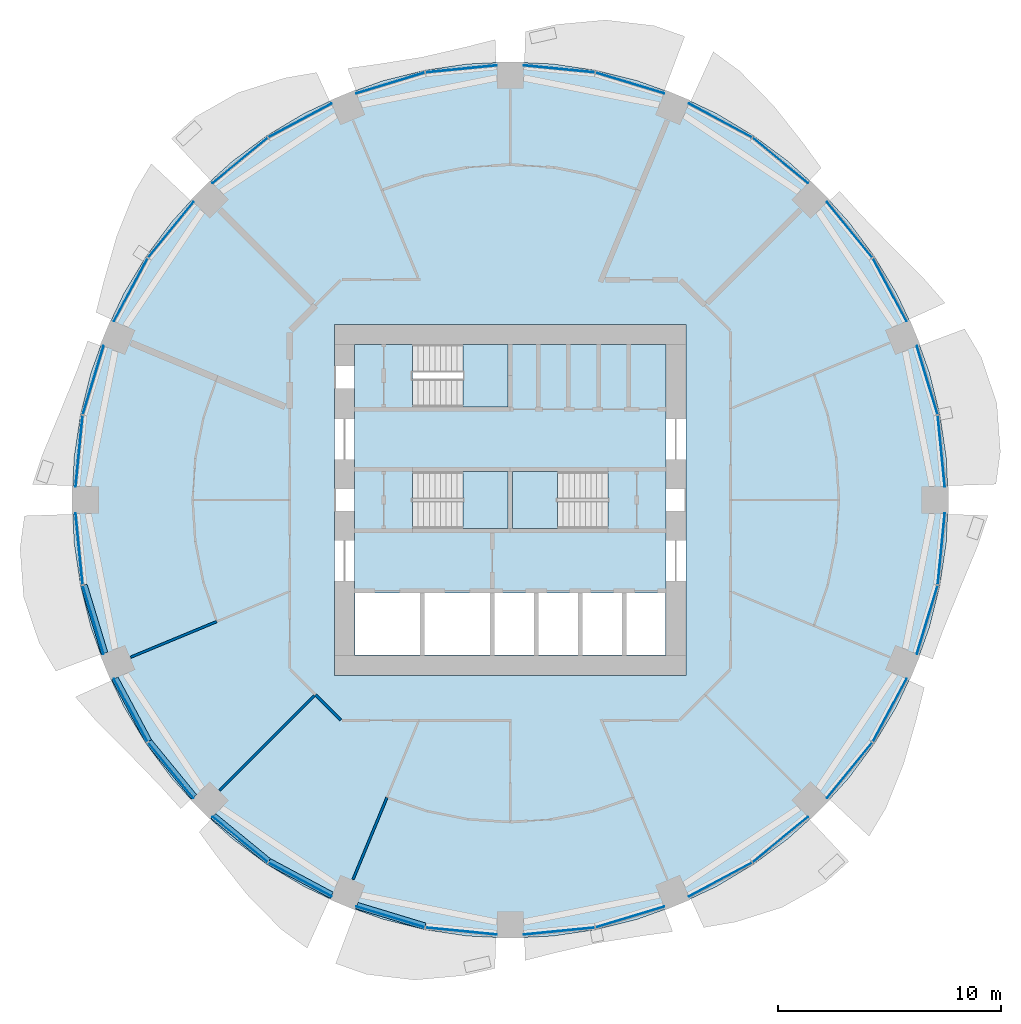
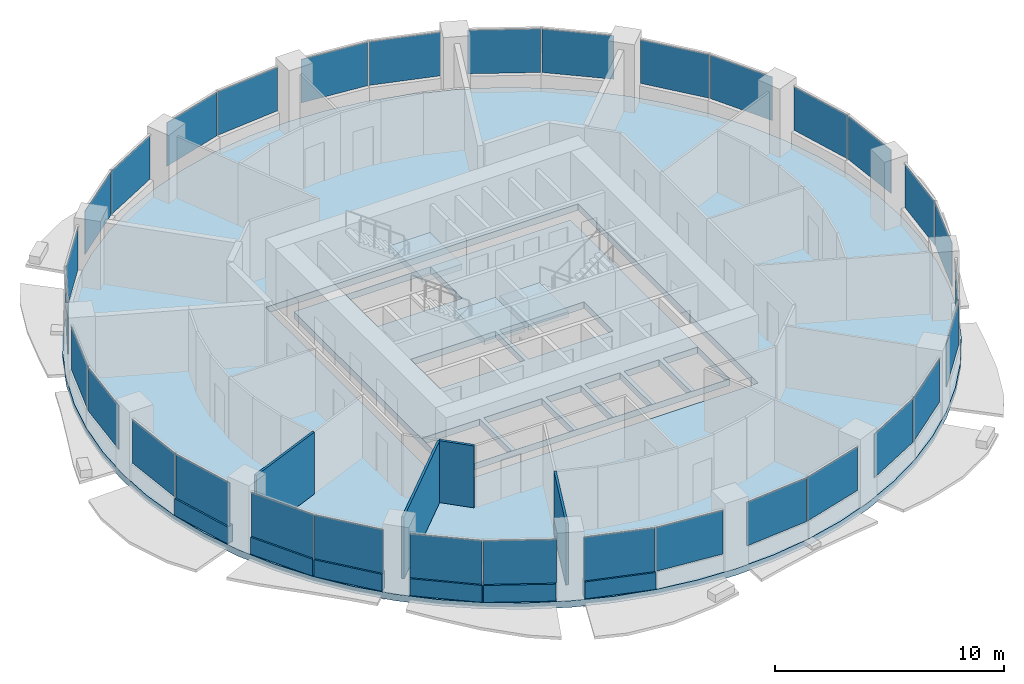
# One storey, part 7 of 15: 32 plates, 10 walls, 5 slabs, 19 elements without a shape of their own.
"""IFC4 building model written with IfcOpenShell, lengths in metres."""

from ifc_helpers import new_model, si_unit, direction, frame, frame_2d, origin, origin_2d, place, context, subcontext, project, spatial, polyline, rectangle, outline, extrude, material, layer, layer_set, type_object, element, aggregate, save


model = new_model("IFC4")

# Units and contexts
model_context = context("Model", 3, precision=1e-05, world=origin(), true_north=direction((0.0, 1.0)))
body_context = subcontext(model_context, "Body", "Model", "MODEL_VIEW")
ifc_project = project(units=[si_unit("LENGTHUNIT", "METRE"), si_unit("AREAUNIT", "SQUARE_METRE"), si_unit("VOLUMEUNIT", "CUBIC_METRE"), si_unit("PLANEANGLEUNIT", "RADIAN"), si_unit("MASSUNIT", "GRAM", prefix="KILO")], contexts=[model_context])

# Site, building, storey
site_placement = place(None, origin())
site = spatial("IfcSite", under=ifc_project, at=site_placement, CompositionType="ELEMENT")
building_placement = place(site_placement, origin())
building = spatial("IfcBuilding", under=site, at=building_placement, Name="Polderwave Tower", CompositionType="ELEMENT")
storey_placement = place(building_placement, frame((0.0, 0.0, 51.75)))
storey = spatial("IfcBuildingStorey", under=building, at=storey_placement, Name="L13", CompositionType="ELEMENT", Elevation=51.75)

# Slab
ifc_material_1 = material(Name="Concrete C40/50", Category="concrete")
ifc_layer_1 = layer(ifc_material_1, 0.35009765625)
ifc_layer_set_1 = layer_set([ifc_layer_1], Name="Core floor slab 350")
slab_type_1 = type_object("IfcSlabType", Name="Core floor slab 350", PredefinedType="FLOOR", material=ifc_layer_set_1)
slab_1_placement = place(storey_placement, frame((0.0, 0.0, -0.35009765625)))
element("IfcSlab", 1, at=slab_1_placement, inside=storey, type_object=slab_type_1, Name="L13 core floor", PredefinedType="FLOOR", context=body_context, shape_type="SweptSolid", body=[
    extrude(outline(polyline([(-6.97412109375, -6.97412109375), (6.97412109375, -6.97412109375), (6.97412109375, 6.97412109375), (-6.97412109375, 6.97412109375), (-6.97412109375, -6.97412109375)]), holes=[polyline([(-6.9541015625, -6.9541015625), (-4.037109375, -6.9541015625), (-4.037109375, -4.174072265625), (-6.9541015625, -4.174072265625), (-6.9541015625, -6.9541015625)]), polyline([(-3.8369140625, -6.9541015625), (-0.89990234375, -6.9541015625), (-0.89990234375, -4.174072265625), (-3.8369140625, -4.174072265625), (-3.8369140625, -6.9541015625)]), polyline([(-0.699951171875, -6.9541015625), (1.068603515625, -6.9541015625), (1.068603515625, -4.174072265625), (-0.699951171875, -4.174072265625), (-0.699951171875, -6.9541015625)]), polyline([(1.2685546875, -6.9541015625), (3.037109375, -6.9541015625), (3.037109375, -4.174072265625), (1.2685546875, -4.174072265625), (1.2685546875, -6.9541015625)]), polyline([(3.237060546875, -6.9541015625), (5.005615234375, -6.9541015625), (5.005615234375, -4.174072265625), (3.237060546875, -4.174072265625), (3.237060546875, -6.9541015625)]), polyline([(5.20556640625, -6.9541015625), (6.9541015625, -6.9541015625), (6.9541015625, -4.174072265625), (5.20556640625, -4.174072265625), (5.20556640625, -6.9541015625)]), polyline([(-4.37353515625, -1.2744140625), (-0.1005859375, -1.2744140625), (-0.1005859375, 1.2744140625), (-4.37353515625, 1.2744140625), (-4.37353515625, -1.2744140625)]), polyline([(0.1005859375, -1.2744140625), (4.37353515625, -1.2744140625), (4.37353515625, 1.2744140625), (0.1005859375, 1.2744140625), (0.1005859375, -1.2744140625)]), polyline([(-4.37353515625, 4.174560546875), (-0.1005859375, 4.174560546875), (-0.1005859375, 6.9541015625), (-4.37353515625, 6.9541015625), (-4.37353515625, 4.174560546875)])]), origin(), (0.0, 0.0, 1.0), 0.35009765625),
])

# Curtain wall, plates
ifc_material_2 = material(Name="Aluminium 6063-T6 and glass", Category="aluminium")
curtain_wall_type = type_object("IfcCurtainWallType", Name="Growing floor ribbon glazing wall", PredefinedType="NOTDEFINED", material=ifc_material_2)
curtain_wall_1_placement = place(storey_placement, origin())
curtain_wall_1 = element("IfcCurtainWall", 2, at=curtain_wall_1_placement, inside=storey, type_object=curtain_wall_type, Name="CW2 L13 00", PredefinedType="NOTDEFINED")
ifc_material_3 = material(Name="Glass, low-e laminated double glazing", Category="glass")
ifc_layer_2 = layer(ifc_material_3, 0.028076171875)
ifc_layer_set_2 = layer_set([ifc_layer_2], Name="Growing floor ribbon glazing glass panel 28 mm")
plate_type = type_object("IfcPlateType", Name="Growing floor ribbon glazing glass panel 28 mm", PredefinedType="CURTAIN_PANEL", material=ifc_layer_set_2)
plate_1_placement = place(storey_placement, frame((19.314453125, 2.190185546875, 0.89990234375), z_axis=(0.0, 0.0, 1.0), x_axis=(-0.097968506312, 0.995189515505, 0.0)))
plate_1 = element("IfcPlate", 3, at=plate_1_placement, type_object=plate_type, Name="CW2 panel 1", PredefinedType="CURTAIN_PANEL", context=body_context, shape_type="SweptSolid", body=[
    extrude(rectangle(XDim=3.195556640625, YDim=0.028076171875, at=origin_2d()), origin(), (0.0, 0.0, 1.0), 2.320068359375),
])
plate_2_placement = place(storey_placement, frame((18.68212890625, 5.367919921875, 0.89990234375), z_axis=(0.0, 0.0, 1.0), x_axis=(-0.290446680162, 0.956891177712, 0.0)))
plate_2 = element("IfcPlate", 4, at=plate_2_placement, type_object=plate_type, Name="CW2 panel 2", PredefinedType="CURTAIN_PANEL", context=body_context, shape_type="SweptSolid", body=[
    extrude(rectangle(XDim=3.196044921875, YDim=0.028076171875, at=origin_2d()), origin(), (0.0, 0.0, 1.0), 2.320068359375),
])
aggregate(curtain_wall_1, [plate_1, plate_2])

curtain_wall_2_placement = place(storey_placement, origin())
curtain_wall_2 = element("IfcCurtainWall", 5, at=curtain_wall_2_placement, inside=storey, type_object=curtain_wall_type, Name="CW2 L13 01", PredefinedType="NOTDEFINED")
plate_3_placement = place(storey_placement, frame((17.006103515625, 9.414794921875, 0.89990234375), z_axis=(0.0, 0.0, 1.0), x_axis=(-0.471361333858, 0.881940186716, 0.0)))
plate_3 = element("IfcPlate", 6, at=plate_3_placement, type_object=plate_type, Name="CW2 panel 1", PredefinedType="CURTAIN_PANEL", context=body_context, shape_type="SweptSolid", body=[
    extrude(rectangle(XDim=3.194580078125, YDim=0.028076171875, at=origin_2d()), origin(), (0.0, 0.0, 1.0), 2.320068359375),
])
plate_4_placement = place(storey_placement, frame((15.2060546875, 12.108642578125, 0.89990234375), z_axis=(0.0, 0.0, 1.0), x_axis=(-0.634435107126, 0.772976128251, 0.0)))
plate_4 = element("IfcPlate", 7, at=plate_4_placement, type_object=plate_type, Name="CW2 panel 2", PredefinedType="CURTAIN_PANEL", context=body_context, shape_type="SweptSolid", body=[
    extrude(rectangle(XDim=3.196533203125, YDim=0.028076171875, at=origin_2d()), origin(), (0.0, 0.0, 1.0), 2.320068359375),
])
aggregate(curtain_wall_2, [plate_3, plate_4])

curtain_wall_3_placement = place(storey_placement, origin())
curtain_wall_3 = element("IfcCurtainWall", 8, at=curtain_wall_3_placement, inside=storey, type_object=curtain_wall_type, Name="CW2 L13 02", PredefinedType="NOTDEFINED")
plate_5_placement = place(storey_placement, frame((12.108642578125, 15.2060546875, 0.89990234375), z_axis=(0.0, 0.0, 1.0), x_axis=(-0.772976128251, 0.634435107126, 0.0)))
plate_5 = element("IfcPlate", 9, at=plate_5_placement, type_object=plate_type, Name="CW2 panel 1", PredefinedType="CURTAIN_PANEL", context=body_context, shape_type="SweptSolid", body=[
    extrude(rectangle(XDim=3.196533203125, YDim=0.028076171875, at=origin_2d()), origin(), (0.0, 0.0, 1.0), 2.320068359375),
])
plate_6_placement = place(storey_placement, frame((9.414794921875, 17.006103515625, 0.89990234375), z_axis=(0.0, 0.0, 1.0), x_axis=(-0.881940186716, 0.471361333858, 0.0)))
plate_6 = element("IfcPlate", 10, at=plate_6_placement, type_object=plate_type, Name="CW2 panel 2", PredefinedType="CURTAIN_PANEL", context=body_context, shape_type="SweptSolid", body=[
    extrude(rectangle(XDim=3.194580078125, YDim=0.028076171875, at=origin_2d()), origin(), (0.0, 0.0, 1.0), 2.320068359375),
])
aggregate(curtain_wall_3, [plate_5, plate_6])

curtain_wall_4_placement = place(storey_placement, origin())
curtain_wall_4 = element("IfcCurtainWall", 11, at=curtain_wall_4_placement, inside=storey, type_object=curtain_wall_type, Name="CW2 L13 03", PredefinedType="NOTDEFINED")
plate_7_placement = place(storey_placement, frame((5.367919921875, 18.68212890625, 0.89990234375), z_axis=(0.0, 0.0, 1.0), x_axis=(-0.956891177712, 0.290446680162, 0.0)))
plate_7 = element("IfcPlate", 12, at=plate_7_placement, type_object=plate_type, Name="CW2 panel 1", PredefinedType="CURTAIN_PANEL", context=body_context, shape_type="SweptSolid", body=[
    extrude(rectangle(XDim=3.196044921875, YDim=0.028076171875, at=origin_2d()), origin(), (0.0, 0.0, 1.0), 2.320068359375),
])
plate_8_placement = place(storey_placement, frame((2.190185546875, 19.314453125, 0.89990234375), z_axis=(0.0, 0.0, 1.0), x_axis=(-0.995189515505, 0.097968506312, 0.0)))
plate_8 = element("IfcPlate", 13, at=plate_8_placement, type_object=plate_type, Name="CW2 panel 2", PredefinedType="CURTAIN_PANEL", context=body_context, shape_type="SweptSolid", body=[
    extrude(rectangle(XDim=3.195556640625, YDim=0.028076171875, at=origin_2d()), origin(), (0.0, 0.0, 1.0), 2.320068359375),
])
aggregate(curtain_wall_4, [plate_7, plate_8])

curtain_wall_5_placement = place(storey_placement, origin())
curtain_wall_5 = element("IfcCurtainWall", 14, at=curtain_wall_5_placement, inside=storey, type_object=curtain_wall_type, Name="CW2 L13 04", PredefinedType="NOTDEFINED")
plate_9_placement = place(storey_placement, frame((-2.190185546875, 19.314453125, 0.89990234375), z_axis=(0.0, 0.0, 1.0), x_axis=(-0.995189515505, -0.097968506312, 0.0)))
plate_9 = element("IfcPlate", 15, at=plate_9_placement, type_object=plate_type, Name="CW2 panel 1", PredefinedType="CURTAIN_PANEL", context=body_context, shape_type="SweptSolid", body=[
    extrude(rectangle(XDim=3.195556640625, YDim=0.028076171875, at=origin_2d()), origin(), (0.0, 0.0, 1.0), 2.320068359375),
])
plate_10_placement = place(storey_placement, frame((-5.367919921875, 18.68212890625, 0.89990234375), z_axis=(0.0, 0.0, 1.0), x_axis=(-0.956891177712, -0.290446680162, 0.0)))
plate_10 = element("IfcPlate", 16, at=plate_10_placement, type_object=plate_type, Name="CW2 panel 2", PredefinedType="CURTAIN_PANEL", context=body_context, shape_type="SweptSolid", body=[
    extrude(rectangle(XDim=3.196044921875, YDim=0.028076171875, at=origin_2d()), origin(), (0.0, 0.0, 1.0), 2.320068359375),
])
aggregate(curtain_wall_5, [plate_9, plate_10])

curtain_wall_6_placement = place(storey_placement, origin())
curtain_wall_6 = element("IfcCurtainWall", 17, at=curtain_wall_6_placement, inside=storey, type_object=curtain_wall_type, Name="CW2 L13 05", PredefinedType="NOTDEFINED")
plate_11_placement = place(storey_placement, frame((-9.414794921875, 17.006103515625, 0.89990234375), z_axis=(0.0, 0.0, 1.0), x_axis=(-0.881940186716, -0.471361333858, 0.0)))
plate_11 = element("IfcPlate", 18, at=plate_11_placement, type_object=plate_type, Name="CW2 panel 1", PredefinedType="CURTAIN_PANEL", context=body_context, shape_type="SweptSolid", body=[
    extrude(rectangle(XDim=3.194580078125, YDim=0.028076171875, at=origin_2d()), origin(), (0.0, 0.0, 1.0), 2.320068359375),
])
plate_12_placement = place(storey_placement, frame((-12.108642578125, 15.2060546875, 0.89990234375), z_axis=(0.0, 0.0, 1.0), x_axis=(-0.772976128251, -0.634435107126, 0.0)))
plate_12 = element("IfcPlate", 19, at=plate_12_placement, type_object=plate_type, Name="CW2 panel 2", PredefinedType="CURTAIN_PANEL", context=body_context, shape_type="SweptSolid", body=[
    extrude(rectangle(XDim=3.196533203125, YDim=0.028076171875, at=origin_2d()), origin(), (0.0, 0.0, 1.0), 2.320068359375),
])
aggregate(curtain_wall_6, [plate_11, plate_12])

curtain_wall_7_placement = place(storey_placement, origin())
curtain_wall_7 = element("IfcCurtainWall", 20, at=curtain_wall_7_placement, inside=storey, type_object=curtain_wall_type, Name="CW2 L13 06", PredefinedType="NOTDEFINED")
plate_13_placement = place(storey_placement, frame((-15.2060546875, 12.108642578125, 0.89990234375), z_axis=(0.0, 0.0, 1.0), x_axis=(-0.634435107126, -0.772976128251, 0.0)))
plate_13 = element("IfcPlate", 21, at=plate_13_placement, type_object=plate_type, Name="CW2 panel 1", PredefinedType="CURTAIN_PANEL", context=body_context, shape_type="SweptSolid", body=[
    extrude(rectangle(XDim=3.196533203125, YDim=0.028076171875, at=origin_2d()), origin(), (0.0, 0.0, 1.0), 2.320068359375),
])
plate_14_placement = place(storey_placement, frame((-17.006103515625, 9.414794921875, 0.89990234375), z_axis=(0.0, 0.0, 1.0), x_axis=(-0.471361333858, -0.881940186716, 0.0)))
plate_14 = element("IfcPlate", 22, at=plate_14_placement, type_object=plate_type, Name="CW2 panel 2", PredefinedType="CURTAIN_PANEL", context=body_context, shape_type="SweptSolid", body=[
    extrude(rectangle(XDim=3.194580078125, YDim=0.028076171875, at=origin_2d()), origin(), (0.0, 0.0, 1.0), 2.320068359375),
])
aggregate(curtain_wall_7, [plate_13, plate_14])

curtain_wall_8_placement = place(storey_placement, origin())
curtain_wall_8 = element("IfcCurtainWall", 23, at=curtain_wall_8_placement, inside=storey, type_object=curtain_wall_type, Name="CW2 L13 07", PredefinedType="NOTDEFINED")
plate_15_placement = place(storey_placement, frame((-18.68212890625, 5.367919921875, 0.89990234375), z_axis=(0.0, 0.0, 1.0), x_axis=(-0.290446680162, -0.956891177712, 0.0)))
plate_15 = element("IfcPlate", 24, at=plate_15_placement, type_object=plate_type, Name="CW2 panel 1", PredefinedType="CURTAIN_PANEL", context=body_context, shape_type="SweptSolid", body=[
    extrude(rectangle(XDim=3.196044921875, YDim=0.028076171875, at=origin_2d()), origin(), (0.0, 0.0, 1.0), 2.320068359375),
])
plate_16_placement = place(storey_placement, frame((-19.314453125, 2.190185546875, 0.89990234375), z_axis=(0.0, 0.0, 1.0), x_axis=(-0.097968506312, -0.995189515505, 0.0)))
plate_16 = element("IfcPlate", 25, at=plate_16_placement, type_object=plate_type, Name="CW2 panel 2", PredefinedType="CURTAIN_PANEL", context=body_context, shape_type="SweptSolid", body=[
    extrude(rectangle(XDim=3.195556640625, YDim=0.028076171875, at=origin_2d()), origin(), (0.0, 0.0, 1.0), 2.320068359375),
])
aggregate(curtain_wall_8, [plate_15, plate_16])

curtain_wall_9_placement = place(storey_placement, origin())
curtain_wall_9 = element("IfcCurtainWall", 26, at=curtain_wall_9_placement, inside=storey, type_object=curtain_wall_type, Name="CW2 L13 08", PredefinedType="NOTDEFINED")
plate_17_placement = place(storey_placement, frame((-19.314453125, -2.190185546875, 0.89990234375), z_axis=(0.0, 0.0, 1.0), x_axis=(0.097968506312, -0.995189515505, 0.0)))
plate_17 = element("IfcPlate", 27, at=plate_17_placement, type_object=plate_type, Name="CW2 panel 1", PredefinedType="CURTAIN_PANEL", context=body_context, shape_type="SweptSolid", body=[
    extrude(rectangle(XDim=3.195556640625, YDim=0.028076171875, at=origin_2d()), origin(), (0.0, 0.0, 1.0), 2.320068359375),
])
plate_18_placement = place(storey_placement, frame((-18.68212890625, -5.367919921875, 0.89990234375), z_axis=(0.0, 0.0, 1.0), x_axis=(0.290446680162, -0.956891177712, 0.0)))
plate_18 = element("IfcPlate", 28, at=plate_18_placement, type_object=plate_type, Name="CW2 panel 2", PredefinedType="CURTAIN_PANEL", context=body_context, shape_type="SweptSolid", body=[
    extrude(rectangle(XDim=3.196044921875, YDim=0.028076171875, at=origin_2d()), origin(), (0.0, 0.0, 1.0), 2.320068359375),
])
aggregate(curtain_wall_9, [plate_17, plate_18])

curtain_wall_10_placement = place(storey_placement, origin())
curtain_wall_10 = element("IfcCurtainWall", 29, at=curtain_wall_10_placement, inside=storey, type_object=curtain_wall_type, Name="CW2 L13 09", PredefinedType="NOTDEFINED")
plate_19_placement = place(storey_placement, frame((-17.006103515625, -9.414794921875, 0.89990234375), z_axis=(0.0, 0.0, 1.0), x_axis=(0.471361333858, -0.881940186716, 0.0)))
plate_19 = element("IfcPlate", 30, at=plate_19_placement, type_object=plate_type, Name="CW2 panel 1", PredefinedType="CURTAIN_PANEL", context=body_context, shape_type="SweptSolid", body=[
    extrude(rectangle(XDim=3.194580078125, YDim=0.028076171875, at=origin_2d()), origin(), (0.0, 0.0, 1.0), 2.320068359375),
])
plate_20_placement = place(storey_placement, frame((-15.2060546875, -12.108642578125, 0.89990234375), z_axis=(0.0, 0.0, 1.0), x_axis=(0.634435107126, -0.772976128251, 0.0)))
plate_20 = element("IfcPlate", 31, at=plate_20_placement, type_object=plate_type, Name="CW2 panel 2", PredefinedType="CURTAIN_PANEL", context=body_context, shape_type="SweptSolid", body=[
    extrude(rectangle(XDim=3.196533203125, YDim=0.028076171875, at=origin_2d()), origin(), (0.0, 0.0, 1.0), 2.320068359375),
])
aggregate(curtain_wall_10, [plate_19, plate_20])

curtain_wall_11_placement = place(storey_placement, origin())
curtain_wall_11 = element("IfcCurtainWall", 32, at=curtain_wall_11_placement, inside=storey, type_object=curtain_wall_type, Name="CW2 L13 10", PredefinedType="NOTDEFINED")
plate_21_placement = place(storey_placement, frame((-12.108642578125, -15.2060546875, 0.89990234375), z_axis=(0.0, 0.0, 1.0), x_axis=(0.772976128251, -0.634435107126, 0.0)))
plate_21 = element("IfcPlate", 33, at=plate_21_placement, type_object=plate_type, Name="CW2 panel 1", PredefinedType="CURTAIN_PANEL", context=body_context, shape_type="SweptSolid", body=[
    extrude(rectangle(XDim=3.196533203125, YDim=0.028076171875, at=origin_2d()), origin(), (0.0, 0.0, 1.0), 2.320068359375),
])
plate_22_placement = place(storey_placement, frame((-9.414794921875, -17.006103515625, 0.89990234375), z_axis=(0.0, 0.0, 1.0), x_axis=(0.881940186716, -0.471361333858, 0.0)))
plate_22 = element("IfcPlate", 34, at=plate_22_placement, type_object=plate_type, Name="CW2 panel 2", PredefinedType="CURTAIN_PANEL", context=body_context, shape_type="SweptSolid", body=[
    extrude(rectangle(XDim=3.194580078125, YDim=0.028076171875, at=origin_2d()), origin(), (0.0, 0.0, 1.0), 2.320068359375),
])
aggregate(curtain_wall_11, [plate_21, plate_22])

curtain_wall_12_placement = place(storey_placement, origin())
curtain_wall_12 = element("IfcCurtainWall", 35, at=curtain_wall_12_placement, inside=storey, type_object=curtain_wall_type, Name="CW2 L13 11", PredefinedType="NOTDEFINED")
plate_23_placement = place(storey_placement, frame((-5.367919921875, -18.68212890625, 0.89990234375), z_axis=(0.0, 0.0, 1.0), x_axis=(0.956891177712, -0.290446680162, 0.0)))
plate_23 = element("IfcPlate", 36, at=plate_23_placement, type_object=plate_type, Name="CW2 panel 1", PredefinedType="CURTAIN_PANEL", context=body_context, shape_type="SweptSolid", body=[
    extrude(rectangle(XDim=3.196044921875, YDim=0.028076171875, at=origin_2d()), origin(), (0.0, 0.0, 1.0), 2.320068359375),
])
plate_24_placement = place(storey_placement, frame((-2.190185546875, -19.314453125, 0.89990234375), z_axis=(0.0, 0.0, 1.0), x_axis=(0.995189515505, -0.097968506312, 0.0)))
plate_24 = element("IfcPlate", 37, at=plate_24_placement, type_object=plate_type, Name="CW2 panel 2", PredefinedType="CURTAIN_PANEL", context=body_context, shape_type="SweptSolid", body=[
    extrude(rectangle(XDim=3.195556640625, YDim=0.028076171875, at=origin_2d()), origin(), (0.0, 0.0, 1.0), 2.320068359375),
])
aggregate(curtain_wall_12, [plate_23, plate_24])

curtain_wall_13_placement = place(storey_placement, origin())
curtain_wall_13 = element("IfcCurtainWall", 38, at=curtain_wall_13_placement, inside=storey, type_object=curtain_wall_type, Name="CW2 L13 12", PredefinedType="NOTDEFINED")
plate_25_placement = place(storey_placement, frame((2.190185546875, -19.314453125, 0.89990234375), z_axis=(0.0, 0.0, 1.0), x_axis=(0.995189515505, 0.097968506312, 0.0)))
plate_25 = element("IfcPlate", 39, at=plate_25_placement, type_object=plate_type, Name="CW2 panel 1", PredefinedType="CURTAIN_PANEL", context=body_context, shape_type="SweptSolid", body=[
    extrude(rectangle(XDim=3.195556640625, YDim=0.028076171875, at=origin_2d()), origin(), (0.0, 0.0, 1.0), 2.320068359375),
])
plate_26_placement = place(storey_placement, frame((5.367919921875, -18.68212890625, 0.89990234375), z_axis=(0.0, 0.0, 1.0), x_axis=(0.956891177712, 0.290446680162, 0.0)))
plate_26 = element("IfcPlate", 40, at=plate_26_placement, type_object=plate_type, Name="CW2 panel 2", PredefinedType="CURTAIN_PANEL", context=body_context, shape_type="SweptSolid", body=[
    extrude(rectangle(XDim=3.196044921875, YDim=0.028076171875, at=origin_2d()), origin(), (0.0, 0.0, 1.0), 2.320068359375),
])
aggregate(curtain_wall_13, [plate_25, plate_26])

curtain_wall_14_placement = place(storey_placement, origin())
curtain_wall_14 = element("IfcCurtainWall", 41, at=curtain_wall_14_placement, inside=storey, type_object=curtain_wall_type, Name="CW2 L13 13", PredefinedType="NOTDEFINED")
plate_27_placement = place(storey_placement, frame((9.414794921875, -17.006103515625, 0.89990234375), z_axis=(0.0, 0.0, 1.0), x_axis=(0.881940186716, 0.471361333858, 0.0)))
plate_27 = element("IfcPlate", 42, at=plate_27_placement, type_object=plate_type, Name="CW2 panel 1", PredefinedType="CURTAIN_PANEL", context=body_context, shape_type="SweptSolid", body=[
    extrude(rectangle(XDim=3.194580078125, YDim=0.028076171875, at=origin_2d()), origin(), (0.0, 0.0, 1.0), 2.320068359375),
])
plate_28_placement = place(storey_placement, frame((12.108642578125, -15.2060546875, 0.89990234375), z_axis=(0.0, 0.0, 1.0), x_axis=(0.772976128251, 0.634435107126, 0.0)))
plate_28 = element("IfcPlate", 43, at=plate_28_placement, type_object=plate_type, Name="CW2 panel 2", PredefinedType="CURTAIN_PANEL", context=body_context, shape_type="SweptSolid", body=[
    extrude(rectangle(XDim=3.196533203125, YDim=0.028076171875, at=origin_2d()), origin(), (0.0, 0.0, 1.0), 2.320068359375),
])
aggregate(curtain_wall_14, [plate_27, plate_28])

curtain_wall_15_placement = place(storey_placement, origin())
curtain_wall_15 = element("IfcCurtainWall", 44, at=curtain_wall_15_placement, inside=storey, type_object=curtain_wall_type, Name="CW2 L13 14", PredefinedType="NOTDEFINED")
plate_29_placement = place(storey_placement, frame((15.2060546875, -12.108642578125, 0.89990234375), z_axis=(0.0, 0.0, 1.0), x_axis=(0.634435107126, 0.772976128251, 0.0)))
plate_29 = element("IfcPlate", 45, at=plate_29_placement, type_object=plate_type, Name="CW2 panel 1", PredefinedType="CURTAIN_PANEL", context=body_context, shape_type="SweptSolid", body=[
    extrude(rectangle(XDim=3.196533203125, YDim=0.028076171875, at=origin_2d()), origin(), (0.0, 0.0, 1.0), 2.320068359375),
])
plate_30_placement = place(storey_placement, frame((17.006103515625, -9.414794921875, 0.89990234375), z_axis=(0.0, 0.0, 1.0), x_axis=(0.471361333858, 0.881940186716, 0.0)))
plate_30 = element("IfcPlate", 46, at=plate_30_placement, type_object=plate_type, Name="CW2 panel 2", PredefinedType="CURTAIN_PANEL", context=body_context, shape_type="SweptSolid", body=[
    extrude(rectangle(XDim=3.194580078125, YDim=0.028076171875, at=origin_2d()), origin(), (0.0, 0.0, 1.0), 2.320068359375),
])
aggregate(curtain_wall_15, [plate_29, plate_30])

curtain_wall_16_placement = place(storey_placement, origin())
curtain_wall_16 = element("IfcCurtainWall", 47, at=curtain_wall_16_placement, inside=storey, type_object=curtain_wall_type, Name="CW2 L13 15", PredefinedType="NOTDEFINED")
plate_31_placement = place(storey_placement, frame((18.68212890625, -5.367919921875, 0.89990234375), z_axis=(0.0, 0.0, 1.0), x_axis=(0.290446680162, 0.956891177712, 0.0)))
plate_31 = element("IfcPlate", 48, at=plate_31_placement, type_object=plate_type, Name="CW2 panel 1", PredefinedType="CURTAIN_PANEL", context=body_context, shape_type="SweptSolid", body=[
    extrude(rectangle(XDim=3.196044921875, YDim=0.028076171875, at=origin_2d()), origin(), (0.0, 0.0, 1.0), 2.320068359375),
])
plate_32_placement = place(storey_placement, frame((19.314453125, -2.190185546875, 0.89990234375), z_axis=(0.0, 0.0, 1.0), x_axis=(0.097968506312, 0.995189515505, 0.0)))
plate_32 = element("IfcPlate", 49, at=plate_32_placement, type_object=plate_type, Name="CW2 panel 2", PredefinedType="CURTAIN_PANEL", context=body_context, shape_type="SweptSolid", body=[
    extrude(rectangle(XDim=3.195556640625, YDim=0.028076171875, at=origin_2d()), origin(), (0.0, 0.0, 1.0), 2.320068359375),
])
aggregate(curtain_wall_16, [plate_31, plate_32])

# Slab
ifc_layer_3 = layer(ifc_material_1, 0.35009765625)
ifc_layer_set_3 = layer_set([ifc_layer_3], Name="PT FLOOR SLAB 350 C40/50")
slab_type_2 = type_object("IfcSlabType", Name="PT FLOOR SLAB 350 C40/50", PredefinedType="FLOOR", material=ifc_layer_set_3)
slab_2_placement = place(storey_placement, frame((0.0, 0.0, -0.35009765625)))
element("IfcSlab", 50, at=slab_2_placement, inside=storey, type_object=slab_type_2, Name="ST-SLAB-L13", PredefinedType="FLOOR", context=body_context, shape_type="SweptSolid", body=[
    extrude(outline(polyline([(19.6298828125, 0.0), (19.535400390625, 1.924072265625), (19.252685546875, 3.82958984375), (18.78466796875, 5.6982421875), (18.1357421875, 7.51220703125), (17.31201171875, 9.25341796875), (16.32177734375, 10.90576171875), (15.17431640625, 12.453125), (13.880615234375, 13.880615234375), (12.453125, 15.17431640625), (10.90576171875, 16.32177734375), (9.25341796875, 17.31201171875), (7.51220703125, 18.1357421875), (5.6982421875, 18.78466796875), (3.82958984375, 19.252685546875), (1.924072265625, 19.535400390625), (0.0, 19.6298828125), (-1.924072265625, 19.535400390625), (-3.82958984375, 19.252685546875), (-5.6982421875, 18.78466796875), (-7.51220703125, 18.1357421875), (-9.25341796875, 17.31201171875), (-10.90576171875, 16.32177734375), (-12.453125, 15.17431640625), (-13.880615234375, 13.880615234375), (-15.17431640625, 12.453125), (-16.32177734375, 10.90576171875), (-17.31201171875, 9.25341796875), (-18.1357421875, 7.51220703125), (-18.78466796875, 5.6982421875), (-19.252685546875, 3.82958984375), (-19.535400390625, 1.924072265625), (-19.6298828125, 0.0), (-19.535400390625, -1.924072265625), (-19.252685546875, -3.82958984375), (-18.78466796875, -5.6982421875), (-18.1357421875, -7.51220703125), (-17.31201171875, -9.25341796875), (-16.32177734375, -10.90576171875), (-15.17431640625, -12.453125), (-13.880615234375, -13.880615234375), (-12.453125, -15.17431640625), (-10.90576171875, -16.32177734375), (-9.25341796875, -17.31201171875), (-7.51220703125, -18.1357421875), (-5.6982421875, -18.78466796875), (-3.82958984375, -19.252685546875), (-1.924072265625, -19.535400390625), (0.0, -19.6298828125), (1.924072265625, -19.535400390625), (3.82958984375, -19.252685546875), (5.6982421875, -18.78466796875), (7.51220703125, -18.1357421875), (9.25341796875, -17.31201171875), (10.90576171875, -16.32177734375), (12.453125, -15.17431640625), (13.880615234375, -13.880615234375), (15.17431640625, -12.453125), (16.32177734375, -10.90576171875), (17.31201171875, -9.25341796875), (18.1357421875, -7.51220703125), (18.78466796875, -5.6982421875), (19.252685546875, -3.82958984375), (19.535400390625, -1.924072265625), (19.6298828125, 0.0)]), holes=[polyline([(-7.8740234375, -7.8740234375), (7.8740234375, -7.8740234375), (7.8740234375, 7.8740234375), (-7.8740234375, 7.8740234375), (-7.8740234375, -7.8740234375)])]), origin(), (0.0, 0.0, 1.0), 0.35009765625),
])

# Stair, slab
stair_type = type_object("IfcStairType", Name="Exit stair 1200 x 20 risers", PredefinedType="HALF_TURN_STAIR", material=ifc_material_1)
stair_1_placement = place(storey_placement, origin())
stair_1 = element("IfcStair", 51, at=stair_1_placement, inside=storey, type_object=stair_type, Name="L13 Exit stair A", PredefinedType="HALF_TURN_STAIR")
ifc_layer_4 = layer(ifc_material_1, 0.300048828125)
ifc_layer_set_4 = layer_set([ifc_layer_4], Name="Stair landing 300")
slab_type_3 = type_object("IfcSlabType", Name="Stair landing 300", PredefinedType="LANDING", material=ifc_layer_set_4)
slab_3_placement = place(storey_placement, frame((0.0, 0.0, 1.52490234375)))
slab_3 = element("IfcSlab", 52, at=slab_3_placement, type_object=slab_type_3, Name="ST-A landing 1", PredefinedType="LANDING", context=body_context, shape_type="SweptSolid", body=[
    extrude(outline(polyline([(-2.1240234375, -1.27490234375), (-0.10009765625, -1.27490234375), (-0.10009765625, 1.27490234375), (-2.1240234375, 1.27490234375), (-2.1240234375, -1.27490234375)])), origin(), (0.0, 0.0, 1.0), 0.300048828125),
])
aggregate(stair_1, [slab_3])

stair_2_placement = place(storey_placement, origin())
stair_2 = element("IfcStair", 53, at=stair_2_placement, inside=storey, type_object=stair_type, Name="L13 Exit stair B", PredefinedType="HALF_TURN_STAIR")
slab_4_placement = place(storey_placement, frame((0.0, 0.0, 1.52490234375)))
slab_4 = element("IfcSlab", 54, at=slab_4_placement, type_object=slab_type_3, Name="ST-B landing 1", PredefinedType="LANDING", context=body_context, shape_type="SweptSolid", body=[
    extrude(outline(polyline([(2.1240234375, 1.27490234375), (0.10009765625, 1.27490234375), (0.10009765625, -1.27490234375), (2.1240234375, -1.27490234375), (2.1240234375, 1.27490234375)])), origin(), (0.0, 0.0, 1.0), 0.300048828125),
])
aggregate(stair_2, [slab_4])

stair_3_placement = place(storey_placement, origin())
stair_3 = element("IfcStair", 55, at=stair_3_placement, inside=storey, type_object=stair_type, Name="L13 Exit stair C", PredefinedType="HALF_TURN_STAIR")
slab_5_placement = place(storey_placement, frame((0.0, 0.0, 1.52490234375)))
slab_5 = element("IfcSlab", 56, at=slab_5_placement, type_object=slab_type_3, Name="ST-C landing 1", PredefinedType="LANDING", context=body_context, shape_type="SweptSolid", body=[
    extrude(outline(polyline([(-2.1240234375, 4.174072265625), (-0.10009765625, 4.174072265625), (-0.10009765625, 6.97412109375), (-2.1240234375, 6.97412109375), (-2.1240234375, 4.174072265625)])), origin(), (0.0, 0.0, 1.0), 0.300048828125),
])
aggregate(stair_3, [slab_5])

# Walls
ifc_material_4 = material(Name="Concrete C50/60 (board-marked)", Category="concrete")
ifc_layer_5 = layer(ifc_material_4, 0.300048828125)
ifc_layer_set_5 = layer_set([ifc_layer_5], Name="Concrete spandrel upstand C50/60")
wall_type_1 = type_object("IfcWallType", Name="Concrete spandrel upstand C50/60", PredefinedType="SOLIDWALL", material=ifc_layer_set_5)
wall_1_placement = place(storey_placement, frame((-19.1015625, -3.814453125, 0.0), z_axis=(0.0, 0.0, 1.0), x_axis=(0.290585541792, -0.956849017819, 0.0)))
element("IfcWall", 57, at=wall_1_placement, inside=storey, type_object=wall_type_1, Name="Spandrel L13 9b", PredefinedType="SOLIDWALL", context=body_context, shape_type="SweptSolid", body=[
    extrude(rectangle(XDim=3.1875, YDim=0.300048828125, at=frame_2d((1.59375, 0.0))), origin(), (0.0, 0.0, 1.0), 0.89990234375),
])
wall_2_placement = place(storey_placement, frame((-17.705810546875, -7.998291015625, 0.0), z_axis=(0.0, 0.0, 1.0), x_axis=(0.471260138764, -0.881994263934, 0.0)))
element("IfcWall", 58, at=wall_2_placement, inside=storey, type_object=wall_type_1, Name="Spandrel L13 10a", PredefinedType="SOLIDWALL", context=body_context, shape_type="SweptSolid", body=[
    extrude(rectangle(XDim=3.1865234375, YDim=0.300048828125, at=frame_2d((1.59326171875, 0.0))), origin(), (0.0, 0.0, 1.0), 0.89990234375),
])
for number, where, z_axis, x_axis, name in (
    (59, (-16.1875, -10.83349609375, 0.0), (0.0, 0.0, 1.0), (0.634229767652, -0.773144618958, 0.0), "Spandrel L13 10b"),
    (60, (-13.29833984375, -14.16552734375, 0.0), (0.0, 0.0, 1.0), (0.773144618958, -0.634229767652, 0.0), "Spandrel L13 11a"),
):
    element("IfcWall", number, at=place(storey_placement, frame(where, z_axis=z_axis, x_axis=x_axis)), inside=storey, type_object=wall_type_1, Name=name, PredefinedType="SOLIDWALL", context=body_context, shape_type="SweptSolid", body=[
        extrude(rectangle(XDim=3.18798828125, YDim=0.300048828125, at=frame_2d((1.593994140625, 0.0))), origin(), (0.0, 0.0, 1.0), 0.89990234375),
    ])
wall_3_placement = place(storey_placement, frame((-10.808837890625, -16.2041015625, 0.0), z_axis=(0.0, 0.0, 1.0), x_axis=(0.881994263934, -0.471260138764, 0.0)))
element("IfcWall", 61, at=wall_3_placement, inside=storey, type_object=wall_type_1, Name="Spandrel L13 11b", PredefinedType="SOLIDWALL", context=body_context, shape_type="SweptSolid", body=[
    extrude(rectangle(XDim=3.1865234375, YDim=0.300048828125, at=frame_2d((1.59326171875, 0.0))), origin(), (0.0, 0.0, 1.0), 0.89990234375),
])
wall_4_placement = place(storey_placement, frame((-6.864501953125, -18.17529296875, 0.0), z_axis=(0.0, 0.0, 1.0), x_axis=(0.956849017819, -0.290585541792, 0.0)))
element("IfcWall", 62, at=wall_4_placement, inside=storey, type_object=wall_type_1, Name="Spandrel L13 12a", PredefinedType="SOLIDWALL", context=body_context, shape_type="SweptSolid", body=[
    extrude(rectangle(XDim=3.1875, YDim=0.300048828125, at=frame_2d((1.59375, 0.0))), origin(), (0.0, 0.0, 1.0), 0.89990234375),
])
ifc_material_5 = material(Name="Fire-resisting board on steel studs", Category="steel")
ifc_layer_6 = layer(ifc_material_5, 0.125)
ifc_layer_set_6 = layer_set([ifc_layer_6], Name="Corridor wall 125 mm EI 60")
wall_type_2 = type_object("IfcWallType", Name="Corridor wall 125 mm EI 60", PredefinedType="PARTITIONING", material=ifc_layer_set_6)
wall_5_placement = place(storey_placement, frame((-7.58935546875, -9.855712890625, 0.0), z_axis=(0.0, 0.0, 1.0), x_axis=(-0.707030604857, 0.70718294931, 0.0)))
element("IfcWall", 63, at=wall_5_placement, inside=storey, type_object=wall_type_2, Name="IN-L13-W017", PredefinedType="PARTITIONING", context=body_context, shape_type="SweptSolid", body=[
    extrude(rectangle(XDim=1.6025390625, YDim=0.125, at=frame_2d((0.80126953125, 0.0))), origin(), (0.0, 0.0, 1.0), 3.300048828125),
])
ifc_material_6 = material(Name="Acoustic double plasterboard on steel studs", Category="steel")
ifc_layer_7 = layer(ifc_material_6, 0.110107421875)
ifc_layer_set_7 = layer_set([ifc_layer_7], Name="Partition 110 mm acoustic double board")
wall_type_3 = type_object("IfcWallType", Name="Partition 110 mm acoustic double board", PredefinedType="PARTITIONING", material=ifc_layer_set_7)
wall_6_placement = place(storey_placement, frame((-13.146728515625, -5.445556640625, 0.0), z_axis=(0.0, 0.0, 1.0), x_axis=(-0.923873410436, -0.382698212028, 0.0)))
element("IfcWall", 64, at=wall_6_placement, inside=storey, type_object=wall_type_3, Name="IN-L13-W054", PredefinedType="PARTITIONING", context=body_context, shape_type="SweptSolid", body=[
    extrude(rectangle(XDim=4.170166015625, YDim=0.110107421875, at=frame_2d((2.0849609375, 0.0))), origin(), (0.0, 0.0, 1.0), 3.300048828125),
])
wall_7_placement = place(storey_placement, frame((-13.0107421875, -13.0107421875, 0.0), z_axis=(0.0, 0.0, 1.0), x_axis=(0.707106781187, 0.707106781187, 0.0)))
element("IfcWall", 65, at=wall_7_placement, inside=storey, type_object=wall_type_3, Name="IN-L13-W056", PredefinedType="PARTITIONING", context=body_context, shape_type="SweptSolid", body=[
    extrude(rectangle(XDim=6.002197265625, YDim=0.110107421875, at=frame_2d((3.0009765625, 0.0))), origin(), (0.0, 0.0, 1.0), 3.300048828125),
])
wall_8_placement = place(storey_placement, frame((-5.522216796875, -13.33154296875, 0.0), z_axis=(0.0, 0.0, 1.0), x_axis=(-0.382675844596, -0.923882675432, 0.0)))
element("IfcWall", 66, at=wall_8_placement, inside=storey, type_object=wall_type_3, Name="IN-L13-W058", PredefinedType="PARTITIONING", context=body_context, shape_type="SweptSolid", body=[
    extrude(rectangle(XDim=3.97021484375, YDim=0.110107421875, at=frame_2d((1.985107421875, 0.0))), origin(), (0.0, 0.0, 1.0), 3.300048828125),
])

save(model, "model.ifc")
